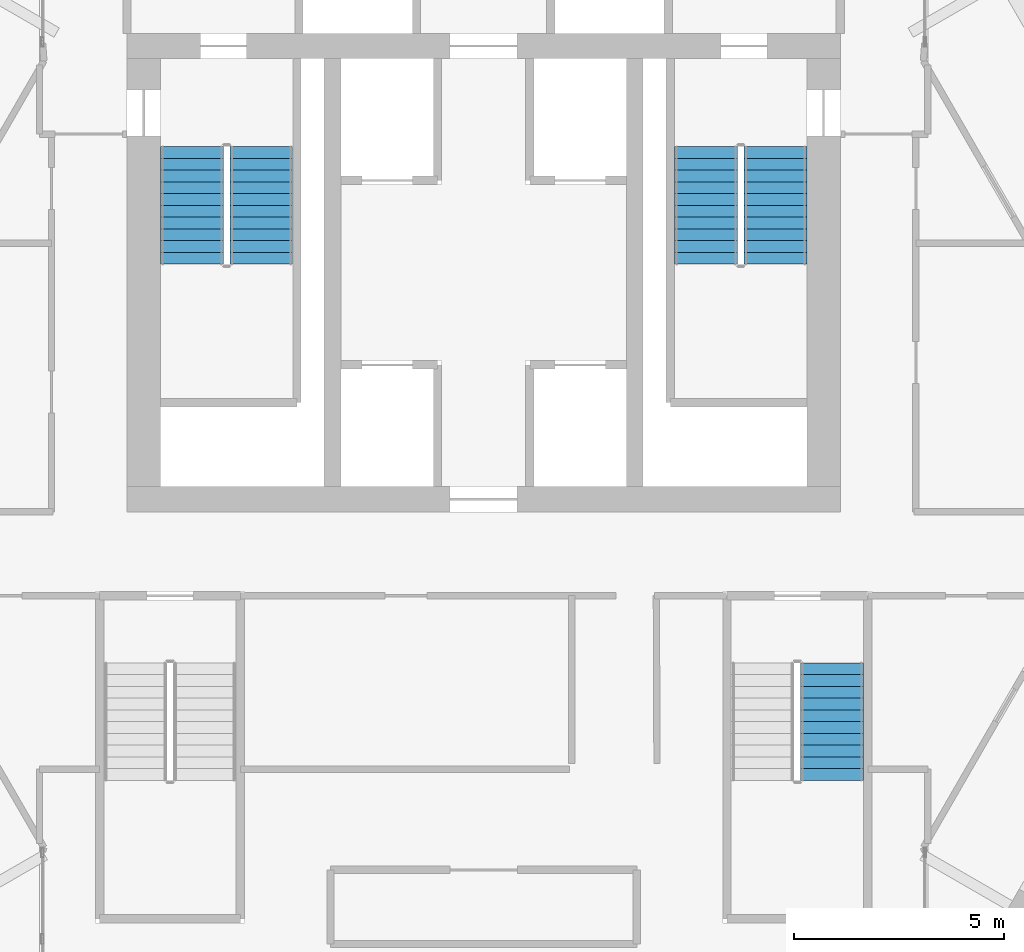
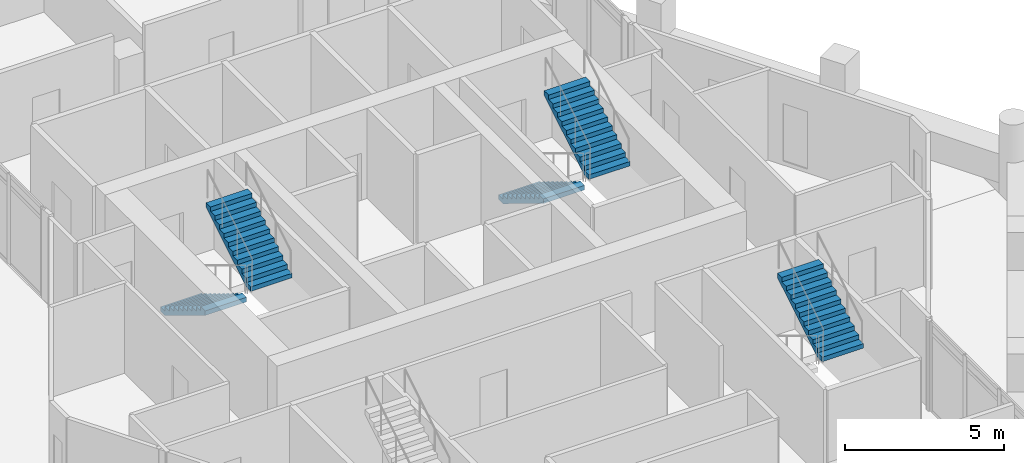
# One storey, part 24 of 25: 5 stair flights, 3 elements without a shape of their own.
"""IFC4 building model written with IfcOpenShell, lengths in metres."""

from ifc_helpers import new_model, si_unit, direction, frame, origin, place, context, subcontext, project, spatial, polyline, outline, extrude, material, type_object, element, aggregate, save


model = new_model("IFC4")

# Units and contexts
model_context = context("Model", 3, precision=1e-05, world=origin(), true_north=direction((0.0, 1.0)))
body_context = subcontext(model_context, "Body", "Model", "MODEL_VIEW")
ifc_project = project(units=[si_unit("LENGTHUNIT", "METRE"), si_unit("AREAUNIT", "SQUARE_METRE"), si_unit("VOLUMEUNIT", "CUBIC_METRE"), si_unit("PLANEANGLEUNIT", "RADIAN"), si_unit("MASSUNIT", "GRAM", prefix="KILO")], contexts=[model_context])

# Site, building, storey
site_placement = place(None, origin())
site = spatial("IfcSite", under=ifc_project, at=site_placement, CompositionType="ELEMENT")
building_placement = place(site_placement, origin())
building = spatial("IfcBuilding", under=site, at=building_placement, Name="Ostrander Bayou Hotel Tower", CompositionType="ELEMENT")
storey_placement = place(building_placement, frame((0.0, 0.0, 229.5)))
storey = spatial("IfcBuildingStorey", under=building, at=storey_placement, Name="L57", CompositionType="ELEMENT", Elevation=229.5)

# Stair, stair flights
ifc_material_1 = material(Name="Concrete f'c 45 MPa", Category="concrete")
stair_type = type_object("IfcStairType", Name="ST1 exit stair 1500 mm f'c 45 MPa", PredefinedType="HALF_TURN_STAIR", material=ifc_material_1)
stair_1_placement = place(storey_placement, origin())
stair_1 = element("IfcStair", 1, at=stair_1_placement, inside=storey, type_object=stair_type, Name="L57 exit stair A", PredefinedType="HALF_TURN_STAIR")
ifc_material_2 = material(Name="Concrete f'c 45 MPa", Category="concrete")
stair_flight_type = type_object("IfcStairFlightType", Name="SF1 stair flight 1500 mm f'c 45 MPa", PredefinedType="STRAIGHT", material=ifc_material_2)
stair_flight_1_placement = place(storey_placement, frame((-6.949951171875, 7.0, 0.0), z_axis=(0.0, 0.0, 1.0), x_axis=(0.0, -1.0, 0.0)))
stair_flight_1 = element("IfcStairFlight", 2, at=stair_flight_1_placement, type_object=stair_flight_type, Name="STA flight 1", NumberOfRisers=11, NumberOfTreads=10, PredefinedType="STRAIGHT", RiserHeight=0.170454545, TreadLength=0.28, context=body_context, shape_type="SweptSolid", body=[
    extrude(outline(polyline([(0.0, 0.0), (0.0, 0.17041015625), (0.280029296875, 0.17041015625), (0.280029296875, 0.3408203125), (0.56005859375, 0.3408203125), (0.56005859375, 0.511474609375), (0.840087890625, 0.511474609375), (0.840087890625, 0.681884765625), (1.1201171875, 0.681884765625), (1.1201171875, 0.852294921875), (1.39990234375, 0.852294921875), (1.39990234375, 1.022705078125), (1.679931640625, 1.022705078125), (1.679931640625, 1.193115234375), (1.9599609375, 1.193115234375), (1.9599609375, 1.363525390625), (2.239990234375, 1.363525390625), (2.239990234375, 1.5341796875), (2.52001953125, 1.5341796875), (2.52001953125, 1.70458984375), (2.800048828125, 1.70458984375), (2.800048828125, 1.875), (2.800048828125, 1.529052734375), (0.288330078125, 0.0), (0.0, 0.0)])), frame((0.0, 0.75, 0.0), z_axis=(0.0, -1.0, 0.0), x_axis=(1.0, 0.0, 0.0)), (0.0, 0.0, 1.0), 1.5),
])
stair_flight_2_placement = place(storey_placement, frame((-5.300048828125, 4.199951171875, 1.875), z_axis=(0.0, 0.0, 1.0), x_axis=(0.0, 1.0, 0.0)))
stair_flight_2 = element("IfcStairFlight", 3, at=stair_flight_2_placement, type_object=stair_flight_type, Name="STA flight 2", NumberOfRisers=11, NumberOfTreads=10, PredefinedType="STRAIGHT", RiserHeight=0.170454545, TreadLength=0.28, context=body_context, shape_type="SweptSolid", body=[
    extrude(outline(polyline([(0.0, 0.0), (0.0, 0.17041015625), (0.280029296875, 0.17041015625), (0.280029296875, 0.3408203125), (0.56005859375, 0.3408203125), (0.56005859375, 0.511474609375), (0.840087890625, 0.511474609375), (0.840087890625, 0.681884765625), (1.1201171875, 0.681884765625), (1.1201171875, 0.852294921875), (1.39990234375, 0.852294921875), (1.39990234375, 1.022705078125), (1.679931640625, 1.022705078125), (1.679931640625, 1.193115234375), (1.9599609375, 1.193115234375), (1.9599609375, 1.363525390625), (2.239990234375, 1.363525390625), (2.239990234375, 1.5341796875), (2.52001953125, 1.5341796875), (2.52001953125, 1.70458984375), (2.800048828125, 1.70458984375), (2.800048828125, 1.875), (2.800048828125, 1.529052734375), (0.288330078125, 0.0), (0.0, 0.0)])), frame((0.0, 0.75, 0.0), z_axis=(0.0, -1.0, 0.0), x_axis=(1.0, 0.0, 0.0)), (0.0, 0.0, 1.0), 1.5),
])
aggregate(stair_1, [stair_flight_1, stair_flight_2])

stair_2_placement = place(storey_placement, origin())
stair_2 = element("IfcStair", 4, at=stair_2_placement, inside=storey, type_object=stair_type, Name="L57 exit stair B", PredefinedType="HALF_TURN_STAIR")
stair_flight_3_placement = place(storey_placement, frame((5.300048828125, 7.0, 0.0), z_axis=(0.0, 0.0, 1.0), x_axis=(0.0, -1.0, 0.0)))
stair_flight_3 = element("IfcStairFlight", 5, at=stair_flight_3_placement, type_object=stair_flight_type, Name="STB flight 1", NumberOfRisers=11, NumberOfTreads=10, PredefinedType="STRAIGHT", RiserHeight=0.170454545, TreadLength=0.28, context=body_context, shape_type="SweptSolid", body=[
    extrude(outline(polyline([(0.0, 0.0), (0.0, 0.17041015625), (0.280029296875, 0.17041015625), (0.280029296875, 0.3408203125), (0.56005859375, 0.3408203125), (0.56005859375, 0.511474609375), (0.840087890625, 0.511474609375), (0.840087890625, 0.681884765625), (1.1201171875, 0.681884765625), (1.1201171875, 0.852294921875), (1.39990234375, 0.852294921875), (1.39990234375, 1.022705078125), (1.679931640625, 1.022705078125), (1.679931640625, 1.193115234375), (1.9599609375, 1.193115234375), (1.9599609375, 1.363525390625), (2.239990234375, 1.363525390625), (2.239990234375, 1.5341796875), (2.52001953125, 1.5341796875), (2.52001953125, 1.70458984375), (2.800048828125, 1.70458984375), (2.800048828125, 1.875), (2.800048828125, 1.529052734375), (0.288330078125, 0.0), (0.0, 0.0)])), frame((0.0, 0.75, 0.0), z_axis=(0.0, -1.0, 0.0), x_axis=(1.0, 0.0, 0.0)), (0.0, 0.0, 1.0), 1.5),
])
stair_flight_4_placement = place(storey_placement, frame((6.949951171875, 4.199951171875, 1.875), z_axis=(0.0, 0.0, 1.0), x_axis=(0.0, 1.0, 0.0)))
stair_flight_4 = element("IfcStairFlight", 6, at=stair_flight_4_placement, type_object=stair_flight_type, Name="STB flight 2", NumberOfRisers=11, NumberOfTreads=10, PredefinedType="STRAIGHT", RiserHeight=0.170454545, TreadLength=0.28, context=body_context, shape_type="SweptSolid", body=[
    extrude(outline(polyline([(0.0, 0.0), (0.0, 0.17041015625), (0.280029296875, 0.17041015625), (0.280029296875, 0.3408203125), (0.56005859375, 0.3408203125), (0.56005859375, 0.511474609375), (0.840087890625, 0.511474609375), (0.840087890625, 0.681884765625), (1.1201171875, 0.681884765625), (1.1201171875, 0.852294921875), (1.39990234375, 0.852294921875), (1.39990234375, 1.022705078125), (1.679931640625, 1.022705078125), (1.679931640625, 1.193115234375), (1.9599609375, 1.193115234375), (1.9599609375, 1.363525390625), (2.239990234375, 1.363525390625), (2.239990234375, 1.5341796875), (2.52001953125, 1.5341796875), (2.52001953125, 1.70458984375), (2.800048828125, 1.70458984375), (2.800048828125, 1.875), (2.800048828125, 1.529052734375), (0.288330078125, 0.0), (0.0, 0.0)])), frame((0.0, 0.75, 0.0), z_axis=(0.0, -1.0, 0.0), x_axis=(1.0, 0.0, 0.0)), (0.0, 0.0, 1.0), 1.5),
])
aggregate(stair_2, [stair_flight_3, stair_flight_4])

# Stair, stair flight
stair_3_placement = place(storey_placement, origin())
stair_3 = element("IfcStair", 7, at=stair_3_placement, inside=storey, type_object=stair_type, Name="L57 exit stair C", PredefinedType="HALF_TURN_STAIR")
stair_flight_5_placement = place(storey_placement, frame((8.300048828125, -8.10009765625, 1.875), z_axis=(0.0, 0.0, 1.0), x_axis=(0.0, 1.0, 0.0)))
stair_flight_5 = element("IfcStairFlight", 8, at=stair_flight_5_placement, type_object=stair_flight_type, Name="STC flight 2", NumberOfRisers=11, NumberOfTreads=10, PredefinedType="STRAIGHT", RiserHeight=0.170454545, TreadLength=0.28, context=body_context, shape_type="SweptSolid", body=[
    extrude(outline(polyline([(0.0, 0.0), (0.0, 0.17041015625), (0.280029296875, 0.17041015625), (0.280029296875, 0.3408203125), (0.56005859375, 0.3408203125), (0.56005859375, 0.511474609375), (0.840087890625, 0.511474609375), (0.840087890625, 0.681884765625), (1.1201171875, 0.681884765625), (1.1201171875, 0.852294921875), (1.39990234375, 0.852294921875), (1.39990234375, 1.022705078125), (1.679931640625, 1.022705078125), (1.679931640625, 1.193115234375), (1.9599609375, 1.193115234375), (1.9599609375, 1.363525390625), (2.239990234375, 1.363525390625), (2.239990234375, 1.5341796875), (2.52001953125, 1.5341796875), (2.52001953125, 1.70458984375), (2.800048828125, 1.70458984375), (2.800048828125, 1.875), (2.800048828125, 1.529052734375), (0.288330078125, 0.0), (0.0, 0.0)])), frame((0.0, 0.75, 0.0), z_axis=(0.0, -1.0, 0.0), x_axis=(1.0, 0.0, 0.0)), (0.0, 0.0, 1.0), 1.5),
])
aggregate(stair_3, [stair_flight_5])

save(model, "model.ifc")
